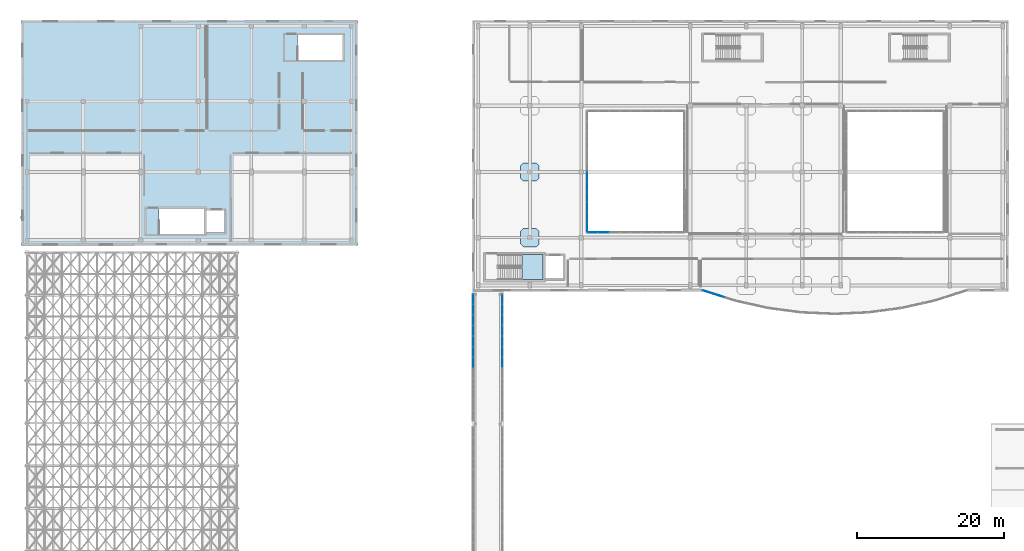
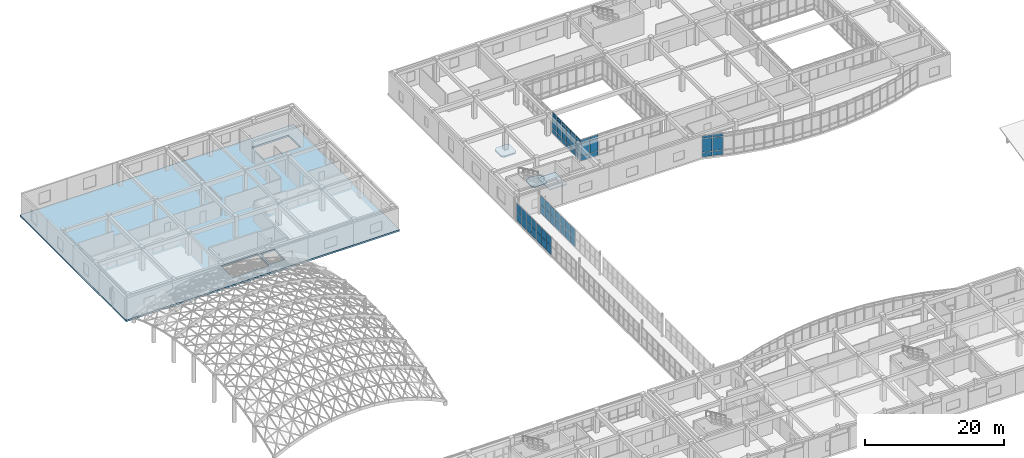
# One storey, part 116 of 146: 58 plates, 4 slabs, 9 elements without a shape of their own.
"""IFC4 building model written with IfcOpenShell, lengths in metres."""

from ifc_helpers import new_model, si_unit, direction, frame, origin, origin_2d, place, context, subcontext, project, spatial, polyline, rectangle, outline, extrude, material, layer, layer_set, type_object, element, aggregate, save


model = new_model("IFC4")

# Units and contexts
model_context = context("Model", 3, precision=1e-05, world=origin(), true_north=direction((0.0, 1.0)))
body_context = subcontext(model_context, "Body", "Model", "MODEL_VIEW")
ifc_project = project(units=[si_unit("LENGTHUNIT", "METRE"), si_unit("AREAUNIT", "SQUARE_METRE"), si_unit("VOLUMEUNIT", "CUBIC_METRE"), si_unit("PLANEANGLEUNIT", "RADIAN"), si_unit("MASSUNIT", "GRAM", prefix="KILO")], contexts=[model_context])

# Site, building, storey
site_placement = place(None, origin())
site = spatial("IfcSite", under=ifc_project, at=site_placement, CompositionType="ELEMENT")
building_placement = place(site_placement, origin())
building = spatial("IfcBuilding", under=site, at=building_placement, Name="Valcora Specialist Clinic", CompositionType="ELEMENT")
storey_placement = place(building_placement, frame((0.0, 0.0, 9.52001953125)))
storey = spatial("IfcBuildingStorey", under=building, at=storey_placement, Name="L02", CompositionType="ELEMENT", Elevation=9.52001953125)

# Curtain wall, plates
ifc_material_1 = material(Name="Anodized Bronze Aluminium 6063-T6", Category="aluminium")
ifc_layer_1 = layer(ifc_material_1, 0.175048828125)
ifc_layer_set_1 = layer_set([ifc_layer_1], Name="Anodized Bronze Aluminium 6063-T6")
curtain_wall_type_1 = type_object("IfcCurtainWallType", Name="TY-CW-ARC40", PredefinedType="NOTDEFINED", material=ifc_layer_set_1)
curtain_wall_1_placement = place(storey_placement, origin())
curtain_wall_1 = element("IfcCurtainWall", 1, at=curtain_wall_1_placement, inside=storey, type_object=curtain_wall_type_1, Name="Curtain wall CW-L02-092", PredefinedType="NOTDEFINED")
ifc_material_2 = material(Name="Low-E Laminated Insulating Glass", Category="glass")
ifc_layer_2 = layer(ifc_material_2, 0.028076171875)
ifc_layer_set_2 = layer_set([ifc_layer_2], Name="Low-E Laminated Insulating Glass")
plate_type_1 = type_object("IfcPlateType", Name="TY-CWP-GLZ28", PredefinedType="CURTAIN_PANEL", material=ifc_layer_set_2)
plate_1_placement = place(storey_placement, frame((94.68115234375, 73.431396484375, 0.882568359375), z_axis=(0.0, 0.0, 1.0), x_axis=(-0.952916356972, 0.303233270958, 0.0)))
plate_1 = element("IfcPlate", 2, at=plate_1_placement, type_object=plate_type_1, Name="CW-ARC-40 panel 2.2", PredefinedType="CURTAIN_PANEL", context=body_context, shape_type="SweptSolid", body=[
    extrude(rectangle(XDim=1.5146484375, YDim=0.028076171875, at=origin_2d()), origin(), (0.0, 0.0, 1.0), 2.35498046875),
])
plate_2_placement = place(storey_placement, frame((94.68115234375, 73.431396484375, 3.302734375), z_axis=(0.0, 0.0, 1.0), x_axis=(-0.952916356972, 0.303233270958, 0.0)))
plate_2 = element("IfcPlate", 3, at=plate_2_placement, type_object=plate_type_1, Name="CW-ARC-40 panel 2.3", PredefinedType="CURTAIN_PANEL", context=body_context, shape_type="SweptSolid", body=[
    extrude(rectangle(XDim=1.5146484375, YDim=0.028076171875, at=origin_2d()), origin(), (0.0, 0.0, 1.0), 0.452392578125),
])
plate_3_placement = place(storey_placement, frame((93.19140625, 73.905517578125, 0.882568359375), z_axis=(0.0, 0.0, 1.0), x_axis=(-0.952916356972, 0.303233270958, 0.0)))
plate_3 = element("IfcPlate", 4, at=plate_3_placement, type_object=plate_type_1, Name="CW-ARC-40 panel 3.2", PredefinedType="CURTAIN_PANEL", context=body_context, shape_type="SweptSolid", body=[
    extrude(rectangle(XDim=1.482177734375, YDim=0.028076171875, at=origin_2d()), origin(), (0.0, 0.0, 1.0), 2.35498046875),
])
plate_4_placement = place(storey_placement, frame((93.19140625, 73.905517578125, 3.302734375), z_axis=(0.0, 0.0, 1.0), x_axis=(-0.952916356972, 0.303233270958, 0.0)))
plate_4 = element("IfcPlate", 5, at=plate_4_placement, type_object=plate_type_1, Name="CW-ARC-40 panel 3.3", PredefinedType="CURTAIN_PANEL", context=body_context, shape_type="SweptSolid", body=[
    extrude(rectangle(XDim=1.482177734375, YDim=0.028076171875, at=origin_2d()), origin(), (0.0, 0.0, 1.0), 0.452392578125),
])

ifc_layer_3 = layer(ifc_material_1, 0.175048828125)
ifc_layer_set_3 = layer_set([ifc_layer_3], Name="Anodized Bronze Aluminium 6063-T6")
curtain_wall_type_2 = type_object("IfcCurtainWallType", Name="TY-CW-CRT15", PredefinedType="NOTDEFINED", material=ifc_layer_set_3)
curtain_wall_2_placement = place(storey_placement, origin())
curtain_wall_2 = element("IfcCurtainWall", 6, at=curtain_wall_2_placement, inside=storey, type_object=curtain_wall_type_2, Name="Curtain wall CW-L02-104", PredefinedType="NOTDEFINED")
plate_5_placement = place(storey_placement, frame((76.800048828125, 86.796142578125, 0.882568359375), z_axis=(0.0, 0.0, 1.0), x_axis=(0.0, -1.0, 0.0)))
plate_5 = element("IfcPlate", 7, at=plate_5_placement, type_object=plate_type_1, Name="CW-CRT-15 panel 1.2", PredefinedType="CURTAIN_PANEL", context=body_context, shape_type="SweptSolid", body=[
    extrude(rectangle(XDim=1.277587890625, YDim=0.028076171875, at=origin_2d()), origin(), (0.0, 0.0, 1.0), 2.35498046875),
])
plate_6_placement = place(storey_placement, frame((76.800048828125, 86.796142578125, 3.302734375), z_axis=(0.0, 0.0, 1.0), x_axis=(0.0, -1.0, 0.0)))
plate_6 = element("IfcPlate", 8, at=plate_6_placement, type_object=plate_type_1, Name="CW-CRT-15 panel 1.3", PredefinedType="CURTAIN_PANEL", context=body_context, shape_type="SweptSolid", body=[
    extrude(rectangle(XDim=1.277587890625, YDim=0.028076171875, at=origin_2d()), origin(), (0.0, 0.0, 1.0), 0.452392578125),
])
plate_7_placement = place(storey_placement, frame((76.800048828125, 85.4375, 0.882568359375), z_axis=(0.0, 0.0, 1.0), x_axis=(0.0, -1.0, 0.0)))
plate_7 = element("IfcPlate", 9, at=plate_7_placement, type_object=plate_type_1, Name="CW-CRT-15 panel 2.2", PredefinedType="CURTAIN_PANEL", context=body_context, shape_type="SweptSolid", body=[
    extrude(rectangle(XDim=1.31005859375, YDim=0.028076171875, at=origin_2d()), origin(), (0.0, 0.0, 1.0), 2.35498046875),
])
plate_8_placement = place(storey_placement, frame((76.800048828125, 85.4375, 3.302734375), z_axis=(0.0, 0.0, 1.0), x_axis=(0.0, -1.0, 0.0)))
plate_8 = element("IfcPlate", 10, at=plate_8_placement, type_object=plate_type_1, Name="CW-CRT-15 panel 2.3", PredefinedType="CURTAIN_PANEL", context=body_context, shape_type="SweptSolid", body=[
    extrude(rectangle(XDim=1.31005859375, YDim=0.028076171875, at=origin_2d()), origin(), (0.0, 0.0, 1.0), 0.452392578125),
])
plate_9_placement = place(storey_placement, frame((76.800048828125, 84.0625, 0.882568359375), z_axis=(0.0, 0.0, 1.0), x_axis=(0.0, -1.0, 0.0)))
plate_9 = element("IfcPlate", 11, at=plate_9_placement, type_object=plate_type_1, Name="CW-CRT-15 panel 3.2", PredefinedType="CURTAIN_PANEL", context=body_context, shape_type="SweptSolid", body=[
    extrude(rectangle(XDim=1.31005859375, YDim=0.028076171875, at=origin_2d()), origin(), (0.0, 0.0, 1.0), 2.35498046875),
])
plate_10_placement = place(storey_placement, frame((76.800048828125, 84.0625, 3.302734375), z_axis=(0.0, 0.0, 1.0), x_axis=(0.0, -1.0, 0.0)))
plate_10 = element("IfcPlate", 12, at=plate_10_placement, type_object=plate_type_1, Name="CW-CRT-15 panel 3.3", PredefinedType="CURTAIN_PANEL", context=body_context, shape_type="SweptSolid", body=[
    extrude(rectangle(XDim=1.31005859375, YDim=0.028076171875, at=origin_2d()), origin(), (0.0, 0.0, 1.0), 0.452392578125),
])
plate_11_placement = place(storey_placement, frame((76.800048828125, 82.703857421875, 0.882568359375), z_axis=(0.0, 0.0, 1.0), x_axis=(0.0, -1.0, 0.0)))
plate_11 = element("IfcPlate", 13, at=plate_11_placement, type_object=plate_type_1, Name="CW-CRT-15 panel 4.2", PredefinedType="CURTAIN_PANEL", context=body_context, shape_type="SweptSolid", body=[
    extrude(rectangle(XDim=1.277587890625, YDim=0.028076171875, at=origin_2d()), origin(), (0.0, 0.0, 1.0), 2.35498046875),
])
plate_12_placement = place(storey_placement, frame((76.800048828125, 82.703857421875, 3.302734375), z_axis=(0.0, 0.0, 1.0), x_axis=(0.0, -1.0, 0.0)))
plate_12 = element("IfcPlate", 14, at=plate_12_placement, type_object=plate_type_1, Name="CW-CRT-15 panel 4.3", PredefinedType="CURTAIN_PANEL", context=body_context, shape_type="SweptSolid", body=[
    extrude(rectangle(XDim=1.277587890625, YDim=0.028076171875, at=origin_2d()), origin(), (0.0, 0.0, 1.0), 0.452392578125),
])

ifc_layer_4 = layer(ifc_material_1, 0.175048828125)
ifc_layer_set_4 = layer_set([ifc_layer_4], Name="Anodized Bronze Aluminium 6063-T6")
curtain_wall_type_3 = type_object("IfcCurtainWallType", Name="TY-CW-BRG14", PredefinedType="NOTDEFINED", material=ifc_layer_set_4)
curtain_wall_3_placement = place(storey_placement, origin())
curtain_wall_3 = element("IfcCurtainWall", 15, at=curtain_wall_3_placement, inside=storey, type_object=curtain_wall_type_3, Name="Curtain wall CW-L02-256", PredefinedType="NOTDEFINED")
plate_13_placement = place(storey_placement, frame((61.320068359375, 64.3291015625, 0.06494140625), z_axis=(0.0, 0.0, 1.0), x_axis=(0.0, 1.0, 0.0)))
plate_13 = element("IfcPlate", 16, at=plate_13_placement, type_object=plate_type_1, Name="CW-BRG-14 panel 2.1", PredefinedType="CURTAIN_PANEL", context=body_context, shape_type="SweptSolid", body=[
    extrude(rectangle(XDim=1.376708984375, YDim=0.028076171875, at=origin_2d()), origin(), (0.0, 0.0, 1.0), 1.5224609375),
])
plate_14_placement = place(storey_placement, frame((61.320068359375, 64.3291015625, 1.652587890625), z_axis=(0.0, 0.0, 1.0), x_axis=(0.0, 1.0, 0.0)))
plate_14 = element("IfcPlate", 17, at=plate_14_placement, type_object=plate_type_1, Name="CW-BRG-14 panel 2.2", PredefinedType="CURTAIN_PANEL", context=body_context, shape_type="SweptSolid", body=[
    extrude(rectangle(XDim=1.376708984375, YDim=0.028076171875, at=origin_2d()), origin(), (0.0, 0.0, 1.0), 1.5224609375),
])
plate_15_placement = place(storey_placement, frame((61.320068359375, 65.770751953125, 0.06494140625), z_axis=(0.0, 0.0, 1.0), x_axis=(0.0, 1.0, 0.0)))
plate_15 = element("IfcPlate", 18, at=plate_15_placement, type_object=plate_type_1, Name="CW-BRG-14 panel 3.1", PredefinedType="CURTAIN_PANEL", context=body_context, shape_type="SweptSolid", body=[
    extrude(rectangle(XDim=1.376708984375, YDim=0.028076171875, at=origin_2d()), origin(), (0.0, 0.0, 1.0), 1.5224609375),
])
plate_16_placement = place(storey_placement, frame((61.320068359375, 65.770751953125, 1.652587890625), z_axis=(0.0, 0.0, 1.0), x_axis=(0.0, 1.0, 0.0)))
plate_16 = element("IfcPlate", 19, at=plate_16_placement, type_object=plate_type_1, Name="CW-BRG-14 panel 3.2", PredefinedType="CURTAIN_PANEL", context=body_context, shape_type="SweptSolid", body=[
    extrude(rectangle(XDim=1.376708984375, YDim=0.028076171875, at=origin_2d()), origin(), (0.0, 0.0, 1.0), 1.5224609375),
])
plate_17_placement = place(storey_placement, frame((61.320068359375, 67.1962890625, 0.06494140625), z_axis=(0.0, 0.0, 1.0), x_axis=(0.0, 1.0, 0.0)))
plate_17 = element("IfcPlate", 20, at=plate_17_placement, type_object=plate_type_1, Name="CW-BRG-14 panel 4.1", PredefinedType="CURTAIN_PANEL", context=body_context, shape_type="SweptSolid", body=[
    extrude(rectangle(XDim=1.34423828125, YDim=0.028076171875, at=origin_2d()), origin(), (0.0, 0.0, 1.0), 1.5224609375),
])
plate_18_placement = place(storey_placement, frame((61.320068359375, 67.1962890625, 1.652587890625), z_axis=(0.0, 0.0, 1.0), x_axis=(0.0, 1.0, 0.0)))
plate_18 = element("IfcPlate", 21, at=plate_18_placement, type_object=plate_type_1, Name="CW-BRG-14 panel 4.2", PredefinedType="CURTAIN_PANEL", context=body_context, shape_type="SweptSolid", body=[
    extrude(rectangle(XDim=1.34423828125, YDim=0.028076171875, at=origin_2d()), origin(), (0.0, 0.0, 1.0), 1.5224609375),
])
aggregate(curtain_wall_3, [plate_13, plate_14, plate_15, plate_16, plate_17, plate_18])

curtain_wall_4_placement = place(storey_placement, origin())
curtain_wall_4 = element("IfcCurtainWall", 22, at=curtain_wall_4_placement, inside=storey, type_object=curtain_wall_type_3, Name="Curtain wall CW-L02-266", PredefinedType="NOTDEFINED")
plate_19_placement = place(storey_placement, frame((65.280029296875, 68.67041015625, 0.06494140625), z_axis=(0.0, 0.0, 1.0), x_axis=(0.0, 1.0, 0.0)))
plate_19 = element("IfcPlate", 23, at=plate_19_placement, type_object=plate_type_1, Name="CW-BRG-14 panel 1.1", PredefinedType="CURTAIN_PANEL", context=body_context, shape_type="SweptSolid", body=[
    extrude(rectangle(XDim=1.34423828125, YDim=0.028076171875, at=origin_2d()), origin(), (0.0, 0.0, 1.0), 1.5224609375),
])
plate_20_placement = place(storey_placement, frame((65.280029296875, 68.67041015625, 1.652587890625), z_axis=(0.0, 0.0, 1.0), x_axis=(0.0, 1.0, 0.0)))
plate_20 = element("IfcPlate", 24, at=plate_20_placement, type_object=plate_type_1, Name="CW-BRG-14 panel 1.2", PredefinedType="CURTAIN_PANEL", context=body_context, shape_type="SweptSolid", body=[
    extrude(rectangle(XDim=1.34423828125, YDim=0.028076171875, at=origin_2d()), origin(), (0.0, 0.0, 1.0), 1.5224609375),
])
plate_21_placement = place(storey_placement, frame((65.280029296875, 70.095703125, 0.06494140625), z_axis=(0.0, 0.0, 1.0), x_axis=(0.0, 1.0, 0.0)))
plate_21 = element("IfcPlate", 25, at=plate_21_placement, type_object=plate_type_1, Name="CW-BRG-14 panel 2.1", PredefinedType="CURTAIN_PANEL", context=body_context, shape_type="SweptSolid", body=[
    extrude(rectangle(XDim=1.376708984375, YDim=0.028076171875, at=origin_2d()), origin(), (0.0, 0.0, 1.0), 1.5224609375),
])
plate_22_placement = place(storey_placement, frame((65.280029296875, 70.095703125, 1.652587890625), z_axis=(0.0, 0.0, 1.0), x_axis=(0.0, 1.0, 0.0)))
plate_22 = element("IfcPlate", 26, at=plate_22_placement, type_object=plate_type_1, Name="CW-BRG-14 panel 2.2", PredefinedType="CURTAIN_PANEL", context=body_context, shape_type="SweptSolid", body=[
    extrude(rectangle(XDim=1.376708984375, YDim=0.028076171875, at=origin_2d()), origin(), (0.0, 0.0, 1.0), 1.5224609375),
])
plate_23_placement = place(storey_placement, frame((65.280029296875, 71.53759765625, 0.06494140625), z_axis=(0.0, 0.0, 1.0), x_axis=(0.0, 1.0, 0.0)))
plate_23 = element("IfcPlate", 27, at=plate_23_placement, type_object=plate_type_1, Name="CW-BRG-14 panel 3.1", PredefinedType="CURTAIN_PANEL", context=body_context, shape_type="SweptSolid", body=[
    extrude(rectangle(XDim=1.376708984375, YDim=0.028076171875, at=origin_2d()), origin(), (0.0, 0.0, 1.0), 1.5224609375),
])
plate_24_placement = place(storey_placement, frame((65.280029296875, 71.53759765625, 1.652587890625), z_axis=(0.0, 0.0, 1.0), x_axis=(0.0, 1.0, 0.0)))
plate_24 = element("IfcPlate", 28, at=plate_24_placement, type_object=plate_type_1, Name="CW-BRG-14 panel 3.2", PredefinedType="CURTAIN_PANEL", context=body_context, shape_type="SweptSolid", body=[
    extrude(rectangle(XDim=1.376708984375, YDim=0.028076171875, at=origin_2d()), origin(), (0.0, 0.0, 1.0), 1.5224609375),
])
plate_25_placement = place(storey_placement, frame((65.280029296875, 72.962890625, 0.06494140625), z_axis=(0.0, 0.0, 1.0), x_axis=(0.0, 1.0, 0.0)))
plate_25 = element("IfcPlate", 29, at=plate_25_placement, type_object=plate_type_1, Name="CW-BRG-14 panel 4.1", PredefinedType="CURTAIN_PANEL", context=body_context, shape_type="SweptSolid", body=[
    extrude(rectangle(XDim=1.34423828125, YDim=0.028076171875, at=origin_2d()), origin(), (0.0, 0.0, 1.0), 1.5224609375),
])
plate_26_placement = place(storey_placement, frame((65.280029296875, 72.962890625, 1.652587890625), z_axis=(0.0, 0.0, 1.0), x_axis=(0.0, 1.0, 0.0)))
plate_26 = element("IfcPlate", 30, at=plate_26_placement, type_object=plate_type_1, Name="CW-BRG-14 panel 4.2", PredefinedType="CURTAIN_PANEL", context=body_context, shape_type="SweptSolid", body=[
    extrude(rectangle(XDim=1.34423828125, YDim=0.028076171875, at=origin_2d()), origin(), (0.0, 0.0, 1.0), 1.5224609375),
])
aggregate(curtain_wall_4, [plate_19, plate_20, plate_21, plate_22, plate_23, plate_24, plate_25, plate_26])

curtain_wall_5_placement = place(storey_placement, origin())
curtain_wall_5 = element("IfcCurtainWall", 31, at=curtain_wall_5_placement, inside=storey, type_object=curtain_wall_type_2, Name="Curtain wall CW-L02-093", PredefinedType="NOTDEFINED")
ifc_layer_5 = layer(ifc_material_2, 0.033935546875)
ifc_layer_set_5 = layer_set([ifc_layer_5], Name="Low-E Laminated Insulating Glass")
plate_type_2 = type_object("IfcPlateType", Name="TY-CWP-GLZ34", PredefinedType="CURTAIN_PANEL", material=ifc_layer_set_5)
plate_27_placement = place(storey_placement, frame((77.549560546875, 82.0, 0.882568359375), z_axis=(0.0, 0.0, 1.0), x_axis=(1.0, 0.0, 0.0)))
plate_27 = element("IfcPlate", 32, at=plate_27_placement, type_object=plate_type_2, Name="CW-CRT-15 panel 1.2", PredefinedType="CURTAIN_PANEL", context=body_context, shape_type="SweptSolid", body=[
    extrude(rectangle(XDim=1.369140625, YDim=0.033935546875, at=origin_2d()), origin(), (0.0, 0.0, 1.0), 2.35498046875),
])
plate_28_placement = place(storey_placement, frame((77.549560546875, 82.0, 3.302734375), z_axis=(0.0, 0.0, 1.0), x_axis=(1.0, 0.0, 0.0)))
plate_28 = element("IfcPlate", 33, at=plate_28_placement, type_object=plate_type_2, Name="CW-CRT-15 panel 1.3", PredefinedType="CURTAIN_PANEL", context=body_context, shape_type="SweptSolid", body=[
    extrude(rectangle(XDim=1.369140625, YDim=0.033935546875, at=origin_2d()), origin(), (0.0, 0.0, 1.0), 0.452392578125),
])
plate_29_placement = place(storey_placement, frame((79.0, 82.0, 0.882568359375), z_axis=(0.0, 0.0, 1.0), x_axis=(1.0, 0.0, 0.0)))
plate_29 = element("IfcPlate", 34, at=plate_29_placement, type_object=plate_type_2, Name="CW-CRT-15 panel 2.2", PredefinedType="CURTAIN_PANEL", context=body_context, shape_type="SweptSolid", body=[
    extrude(rectangle(XDim=1.401611328125, YDim=0.033935546875, at=origin_2d()), origin(), (0.0, 0.0, 1.0), 2.35498046875),
])
plate_30_placement = place(storey_placement, frame((79.0, 82.0, 3.302734375), z_axis=(0.0, 0.0, 1.0), x_axis=(1.0, 0.0, 0.0)))
plate_30 = element("IfcPlate", 35, at=plate_30_placement, type_object=plate_type_2, Name="CW-CRT-15 panel 2.3", PredefinedType="CURTAIN_PANEL", context=body_context, shape_type="SweptSolid", body=[
    extrude(rectangle(XDim=1.401611328125, YDim=0.033935546875, at=origin_2d()), origin(), (0.0, 0.0, 1.0), 0.452392578125),
])

curtain_wall_6_placement = place(storey_placement, origin())
curtain_wall_6 = element("IfcCurtainWall", 36, at=curtain_wall_6_placement, inside=storey, type_object=curtain_wall_type_2, Name="Curtain wall CW-L02-103", PredefinedType="NOTDEFINED")
plate_31_placement = place(storey_placement, frame((76.800048828125, 89.5625, 0.882568359375), z_axis=(0.0, 0.0, 1.0), x_axis=(0.0, -1.0, 0.0)))
plate_31 = element("IfcPlate", 37, at=plate_31_placement, type_object=plate_type_2, Name="CW-CRT-15 panel 3.2", PredefinedType="CURTAIN_PANEL", context=body_context, shape_type="SweptSolid", body=[
    extrude(rectangle(XDim=1.31005859375, YDim=0.033935546875, at=origin_2d()), origin(), (0.0, 0.0, 1.0), 2.35498046875),
])
plate_32_placement = place(storey_placement, frame((76.800048828125, 89.5625, 3.302734375), z_axis=(0.0, 0.0, 1.0), x_axis=(0.0, -1.0, 0.0)))
plate_32 = element("IfcPlate", 38, at=plate_32_placement, type_object=plate_type_2, Name="CW-CRT-15 panel 3.3", PredefinedType="CURTAIN_PANEL", context=body_context, shape_type="SweptSolid", body=[
    extrude(rectangle(XDim=1.31005859375, YDim=0.033935546875, at=origin_2d()), origin(), (0.0, 0.0, 1.0), 0.452392578125),
])
plate_33_placement = place(storey_placement, frame((76.800048828125, 88.203857421875, 0.882568359375), z_axis=(0.0, 0.0, 1.0), x_axis=(0.0, -1.0, 0.0)))
plate_33 = element("IfcPlate", 39, at=plate_33_placement, type_object=plate_type_2, Name="CW-CRT-15 panel 4.2", PredefinedType="CURTAIN_PANEL", context=body_context, shape_type="SweptSolid", body=[
    extrude(rectangle(XDim=1.277587890625, YDim=0.033935546875, at=origin_2d()), origin(), (0.0, 0.0, 1.0), 2.35498046875),
])
plate_34_placement = place(storey_placement, frame((76.800048828125, 88.203857421875, 3.302734375), z_axis=(0.0, 0.0, 1.0), x_axis=(0.0, -1.0, 0.0)))
plate_34 = element("IfcPlate", 40, at=plate_34_placement, type_object=plate_type_2, Name="CW-CRT-15 panel 4.3", PredefinedType="CURTAIN_PANEL", context=body_context, shape_type="SweptSolid", body=[
    extrude(rectangle(XDim=1.277587890625, YDim=0.033935546875, at=origin_2d()), origin(), (0.0, 0.0, 1.0), 0.452392578125),
])

curtain_wall_7_placement = place(storey_placement, origin())
curtain_wall_7 = element("IfcCurtainWall", 41, at=curtain_wall_7_placement, inside=storey, type_object=curtain_wall_type_3, Name="Curtain wall CW-L02-257", PredefinedType="NOTDEFINED")
plate_35_placement = place(storey_placement, frame((61.320068359375, 68.67041015625, 0.06494140625), z_axis=(0.0, 0.0, 1.0), x_axis=(0.0, 1.0, 0.0)))
plate_35 = element("IfcPlate", 42, at=plate_35_placement, type_object=plate_type_2, Name="CW-BRG-14 panel 1.1", PredefinedType="CURTAIN_PANEL", context=body_context, shape_type="SweptSolid", body=[
    extrude(rectangle(XDim=1.34423828125, YDim=0.033935546875, at=origin_2d()), origin(), (0.0, 0.0, 1.0), 1.5224609375),
])
plate_36_placement = place(storey_placement, frame((61.320068359375, 68.67041015625, 1.652587890625), z_axis=(0.0, 0.0, 1.0), x_axis=(0.0, 1.0, 0.0)))
plate_36 = element("IfcPlate", 43, at=plate_36_placement, type_object=plate_type_2, Name="CW-BRG-14 panel 1.2", PredefinedType="CURTAIN_PANEL", context=body_context, shape_type="SweptSolid", body=[
    extrude(rectangle(XDim=1.34423828125, YDim=0.033935546875, at=origin_2d()), origin(), (0.0, 0.0, 1.0), 1.5224609375),
])
plate_37_placement = place(storey_placement, frame((61.320068359375, 70.095703125, 0.06494140625), z_axis=(0.0, 0.0, 1.0), x_axis=(0.0, 1.0, 0.0)))
plate_37 = element("IfcPlate", 44, at=plate_37_placement, type_object=plate_type_2, Name="CW-BRG-14 panel 2.1", PredefinedType="CURTAIN_PANEL", context=body_context, shape_type="SweptSolid", body=[
    extrude(rectangle(XDim=1.376708984375, YDim=0.033935546875, at=origin_2d()), origin(), (0.0, 0.0, 1.0), 1.5224609375),
])
plate_38_placement = place(storey_placement, frame((61.320068359375, 70.095703125, 1.652587890625), z_axis=(0.0, 0.0, 1.0), x_axis=(0.0, 1.0, 0.0)))
plate_38 = element("IfcPlate", 45, at=plate_38_placement, type_object=plate_type_2, Name="CW-BRG-14 panel 2.2", PredefinedType="CURTAIN_PANEL", context=body_context, shape_type="SweptSolid", body=[
    extrude(rectangle(XDim=1.376708984375, YDim=0.033935546875, at=origin_2d()), origin(), (0.0, 0.0, 1.0), 1.5224609375),
])
plate_39_placement = place(storey_placement, frame((61.320068359375, 71.53759765625, 0.06494140625), z_axis=(0.0, 0.0, 1.0), x_axis=(0.0, 1.0, 0.0)))
plate_39 = element("IfcPlate", 46, at=plate_39_placement, type_object=plate_type_2, Name="CW-BRG-14 panel 3.1", PredefinedType="CURTAIN_PANEL", context=body_context, shape_type="SweptSolid", body=[
    extrude(rectangle(XDim=1.376708984375, YDim=0.033935546875, at=origin_2d()), origin(), (0.0, 0.0, 1.0), 1.5224609375),
])
plate_40_placement = place(storey_placement, frame((61.320068359375, 71.53759765625, 1.652587890625), z_axis=(0.0, 0.0, 1.0), x_axis=(0.0, 1.0, 0.0)))
plate_40 = element("IfcPlate", 47, at=plate_40_placement, type_object=plate_type_2, Name="CW-BRG-14 panel 3.2", PredefinedType="CURTAIN_PANEL", context=body_context, shape_type="SweptSolid", body=[
    extrude(rectangle(XDim=1.376708984375, YDim=0.033935546875, at=origin_2d()), origin(), (0.0, 0.0, 1.0), 1.5224609375),
])
plate_41_placement = place(storey_placement, frame((61.320068359375, 72.962890625, 0.06494140625), z_axis=(0.0, 0.0, 1.0), x_axis=(0.0, 1.0, 0.0)))
plate_41 = element("IfcPlate", 48, at=plate_41_placement, type_object=plate_type_2, Name="CW-BRG-14 panel 4.1", PredefinedType="CURTAIN_PANEL", context=body_context, shape_type="SweptSolid", body=[
    extrude(rectangle(XDim=1.34423828125, YDim=0.033935546875, at=origin_2d()), origin(), (0.0, 0.0, 1.0), 1.5224609375),
])
plate_42_placement = place(storey_placement, frame((61.320068359375, 72.962890625, 1.652587890625), z_axis=(0.0, 0.0, 1.0), x_axis=(0.0, 1.0, 0.0)))
plate_42 = element("IfcPlate", 49, at=plate_42_placement, type_object=plate_type_2, Name="CW-BRG-14 panel 4.2", PredefinedType="CURTAIN_PANEL", context=body_context, shape_type="SweptSolid", body=[
    extrude(rectangle(XDim=1.34423828125, YDim=0.033935546875, at=origin_2d()), origin(), (0.0, 0.0, 1.0), 1.5224609375),
])
aggregate(curtain_wall_7, [plate_35, plate_36, plate_37, plate_38, plate_39, plate_40, plate_41, plate_42])

curtain_wall_8_placement = place(storey_placement, origin())
curtain_wall_8 = element("IfcCurtainWall", 50, at=curtain_wall_8_placement, inside=storey, type_object=curtain_wall_type_3, Name="Curtain wall CW-L02-265", PredefinedType="NOTDEFINED")
plate_43_placement = place(storey_placement, frame((65.280029296875, 64.3291015625, 0.06494140625), z_axis=(0.0, 0.0, 1.0), x_axis=(0.0, 1.0, 0.0)))
plate_43 = element("IfcPlate", 51, at=plate_43_placement, type_object=plate_type_2, Name="CW-BRG-14 panel 2.1", PredefinedType="CURTAIN_PANEL", context=body_context, shape_type="SweptSolid", body=[
    extrude(rectangle(XDim=1.376708984375, YDim=0.033935546875, at=origin_2d()), origin(), (0.0, 0.0, 1.0), 1.5224609375),
])
plate_44_placement = place(storey_placement, frame((65.280029296875, 64.3291015625, 1.652587890625), z_axis=(0.0, 0.0, 1.0), x_axis=(0.0, 1.0, 0.0)))
plate_44 = element("IfcPlate", 52, at=plate_44_placement, type_object=plate_type_2, Name="CW-BRG-14 panel 2.2", PredefinedType="CURTAIN_PANEL", context=body_context, shape_type="SweptSolid", body=[
    extrude(rectangle(XDim=1.376708984375, YDim=0.033935546875, at=origin_2d()), origin(), (0.0, 0.0, 1.0), 1.5224609375),
])
plate_45_placement = place(storey_placement, frame((65.280029296875, 65.770751953125, 0.06494140625), z_axis=(0.0, 0.0, 1.0), x_axis=(0.0, 1.0, 0.0)))
plate_45 = element("IfcPlate", 53, at=plate_45_placement, type_object=plate_type_2, Name="CW-BRG-14 panel 3.1", PredefinedType="CURTAIN_PANEL", context=body_context, shape_type="SweptSolid", body=[
    extrude(rectangle(XDim=1.376708984375, YDim=0.033935546875, at=origin_2d()), origin(), (0.0, 0.0, 1.0), 1.5224609375),
])
plate_46_placement = place(storey_placement, frame((65.280029296875, 65.770751953125, 1.652587890625), z_axis=(0.0, 0.0, 1.0), x_axis=(0.0, 1.0, 0.0)))
plate_46 = element("IfcPlate", 54, at=plate_46_placement, type_object=plate_type_2, Name="CW-BRG-14 panel 3.2", PredefinedType="CURTAIN_PANEL", context=body_context, shape_type="SweptSolid", body=[
    extrude(rectangle(XDim=1.376708984375, YDim=0.033935546875, at=origin_2d()), origin(), (0.0, 0.0, 1.0), 1.5224609375),
])
plate_47_placement = place(storey_placement, frame((65.280029296875, 67.1962890625, 0.06494140625), z_axis=(0.0, 0.0, 1.0), x_axis=(0.0, 1.0, 0.0)))
plate_47 = element("IfcPlate", 55, at=plate_47_placement, type_object=plate_type_2, Name="CW-BRG-14 panel 4.1", PredefinedType="CURTAIN_PANEL", context=body_context, shape_type="SweptSolid", body=[
    extrude(rectangle(XDim=1.34423828125, YDim=0.033935546875, at=origin_2d()), origin(), (0.0, 0.0, 1.0), 1.5224609375),
])
plate_48_placement = place(storey_placement, frame((65.280029296875, 67.1962890625, 1.652587890625), z_axis=(0.0, 0.0, 1.0), x_axis=(0.0, 1.0, 0.0)))
plate_48 = element("IfcPlate", 56, at=plate_48_placement, type_object=plate_type_2, Name="CW-BRG-14 panel 4.2", PredefinedType="CURTAIN_PANEL", context=body_context, shape_type="SweptSolid", body=[
    extrude(rectangle(XDim=1.34423828125, YDim=0.033935546875, at=origin_2d()), origin(), (0.0, 0.0, 1.0), 1.5224609375),
])
aggregate(curtain_wall_8, [plate_43, plate_44, plate_45, plate_46, plate_47, plate_48])

# Plate
ifc_material_3 = material(Name="Insulated Spandrel Panel")
ifc_layer_6 = layer(ifc_material_3, 0.044921875)
ifc_layer_set_6 = layer_set([ifc_layer_6], Name="Insulated Spandrel Panel")
plate_type_3 = type_object("IfcPlateType", Name="TY-CWP-SPN45", PredefinedType="SHEET", material=ifc_layer_set_6)
plate_49_placement = place(storey_placement, frame((94.68115234375, 73.431396484375, 0.06494140625), z_axis=(0.0, 0.0, 1.0), x_axis=(-0.952916356972, 0.303233270958, 0.0)))
plate_49 = element("IfcPlate", 57, at=plate_49_placement, type_object=plate_type_3, Name="CW-ARC-40 panel 2.1", PredefinedType="SHEET", context=body_context, shape_type="SweptSolid", body=[
    extrude(rectangle(XDim=1.5146484375, YDim=0.044921875, at=origin_2d()), origin(), (0.0, 0.0, 1.0), 0.75244140625),
])

plate_50_placement = place(storey_placement, frame((93.19140625, 73.905517578125, 0.06494140625), z_axis=(0.0, 0.0, 1.0), x_axis=(-0.952916356972, 0.303233270958, 0.0)))
plate_50 = element("IfcPlate", 58, at=plate_50_placement, type_object=plate_type_3, Name="CW-ARC-40 panel 3.1", PredefinedType="SHEET", context=body_context, shape_type="SweptSolid", body=[
    extrude(rectangle(XDim=1.482177734375, YDim=0.044921875, at=origin_2d()), origin(), (0.0, 0.0, 1.0), 0.75244140625),
])

aggregate(curtain_wall_1, [plate_49, plate_1, plate_2, plate_50, plate_3, plate_4])

plate_51_placement = place(storey_placement, frame((77.549560546875, 82.0, 0.06494140625), z_axis=(0.0, 0.0, 1.0), x_axis=(1.0, 0.0, 0.0)))
plate_51 = element("IfcPlate", 59, at=plate_51_placement, type_object=plate_type_3, Name="CW-CRT-15 panel 1.1", PredefinedType="SHEET", context=body_context, shape_type="SweptSolid", body=[
    extrude(rectangle(XDim=1.369140625, YDim=0.044921875, at=origin_2d()), origin(), (0.0, 0.0, 1.0), 0.75244140625),
])

plate_52_placement = place(storey_placement, frame((79.0, 82.0, 0.06494140625), z_axis=(0.0, 0.0, 1.0), x_axis=(1.0, 0.0, 0.0)))
plate_52 = element("IfcPlate", 60, at=plate_52_placement, type_object=plate_type_3, Name="CW-CRT-15 panel 2.1", PredefinedType="SHEET", context=body_context, shape_type="SweptSolid", body=[
    extrude(rectangle(XDim=1.401611328125, YDim=0.044921875, at=origin_2d()), origin(), (0.0, 0.0, 1.0), 0.75244140625),
])

aggregate(curtain_wall_5, [plate_51, plate_27, plate_28, plate_52, plate_29, plate_30])

plate_53_placement = place(storey_placement, frame((76.800048828125, 89.5625, 0.06494140625), z_axis=(0.0, 0.0, 1.0), x_axis=(0.0, -1.0, 0.0)))
plate_53 = element("IfcPlate", 61, at=plate_53_placement, type_object=plate_type_3, Name="CW-CRT-15 panel 3.1", PredefinedType="SHEET", context=body_context, shape_type="SweptSolid", body=[
    extrude(rectangle(XDim=1.31005859375, YDim=0.044921875, at=origin_2d()), origin(), (0.0, 0.0, 1.0), 0.75244140625),
])

plate_54_placement = place(storey_placement, frame((76.800048828125, 88.203857421875, 0.06494140625), z_axis=(0.0, 0.0, 1.0), x_axis=(0.0, -1.0, 0.0)))
plate_54 = element("IfcPlate", 62, at=plate_54_placement, type_object=plate_type_3, Name="CW-CRT-15 panel 4.1", PredefinedType="SHEET", context=body_context, shape_type="SweptSolid", body=[
    extrude(rectangle(XDim=1.277587890625, YDim=0.044921875, at=origin_2d()), origin(), (0.0, 0.0, 1.0), 0.75244140625),
])

aggregate(curtain_wall_6, [plate_53, plate_31, plate_32, plate_54, plate_33, plate_34])

plate_55_placement = place(storey_placement, frame((76.800048828125, 86.796142578125, 0.06494140625), z_axis=(0.0, 0.0, 1.0), x_axis=(0.0, -1.0, 0.0)))
plate_55 = element("IfcPlate", 63, at=plate_55_placement, type_object=plate_type_3, Name="CW-CRT-15 panel 1.1", PredefinedType="SHEET", context=body_context, shape_type="SweptSolid", body=[
    extrude(rectangle(XDim=1.277587890625, YDim=0.044921875, at=origin_2d()), origin(), (0.0, 0.0, 1.0), 0.75244140625),
])

plate_56_placement = place(storey_placement, frame((76.800048828125, 85.4375, 0.06494140625), z_axis=(0.0, 0.0, 1.0), x_axis=(0.0, -1.0, 0.0)))
plate_56 = element("IfcPlate", 64, at=plate_56_placement, type_object=plate_type_3, Name="CW-CRT-15 panel 2.1", PredefinedType="SHEET", context=body_context, shape_type="SweptSolid", body=[
    extrude(rectangle(XDim=1.31005859375, YDim=0.044921875, at=origin_2d()), origin(), (0.0, 0.0, 1.0), 0.75244140625),
])

plate_57_placement = place(storey_placement, frame((76.800048828125, 84.0625, 0.06494140625), z_axis=(0.0, 0.0, 1.0), x_axis=(0.0, -1.0, 0.0)))
plate_57 = element("IfcPlate", 65, at=plate_57_placement, type_object=plate_type_3, Name="CW-CRT-15 panel 3.1", PredefinedType="SHEET", context=body_context, shape_type="SweptSolid", body=[
    extrude(rectangle(XDim=1.31005859375, YDim=0.044921875, at=origin_2d()), origin(), (0.0, 0.0, 1.0), 0.75244140625),
])

plate_58_placement = place(storey_placement, frame((76.800048828125, 82.703857421875, 0.06494140625), z_axis=(0.0, 0.0, 1.0), x_axis=(0.0, -1.0, 0.0)))
plate_58 = element("IfcPlate", 66, at=plate_58_placement, type_object=plate_type_3, Name="CW-CRT-15 panel 4.1", PredefinedType="SHEET", context=body_context, shape_type="SweptSolid", body=[
    extrude(rectangle(XDim=1.277587890625, YDim=0.044921875, at=origin_2d()), origin(), (0.0, 0.0, 1.0), 0.75244140625),
])

aggregate(curtain_wall_2, [plate_55, plate_5, plate_6, plate_56, plate_7, plate_8, plate_57, plate_9, plate_10, plate_58, plate_11, plate_12])

# Slabs
ifc_material_4 = material(Name="Concrete C40/50", Category="concrete")
ifc_layer_7 = layer(ifc_material_4, 0.18994140625)
ifc_layer_set_7 = layer_set([ifc_layer_7], Name="Concrete C40/50")
slab_type_1 = type_object("IfcSlabType", Name="TY-SL-DP190", PredefinedType="FLOOR", material=ifc_layer_set_7)
slab_1_placement = place(storey_placement, frame((0.0, 0.0, -0.465087890625)))
element("IfcSlab", 67, at=slab_1_placement, inside=storey, type_object=slab_type_1, Name="V4 column drop panel SL-L02-048", PredefinedType="FLOOR", context=body_context, shape_type="SweptSolid", body=[
    extrude(outline(polyline([(68.1201171875, 80.050048828125), (69.8798828125, 80.050048828125), (70.25, 80.419921875), (70.25, 82.179931640625), (69.8798828125, 82.550048828125), (68.1201171875, 82.550048828125), (67.75, 82.179931640625), (67.75, 80.419921875), (68.1201171875, 80.050048828125)])), origin(), (0.0, 0.0, 1.0), 0.190185546875),
])
ifc_layer_8 = layer(ifc_material_4, 0.235107421875)
ifc_layer_set_8 = layer_set([ifc_layer_8], Name="Concrete C40/50")
slab_type_2 = type_object("IfcSlabType", Name="TY-SL-DP235", PredefinedType="FLOOR", material=ifc_layer_set_8)
slab_2_placement = place(storey_placement, frame((0.0, 0.0, -0.510009765625)))
element("IfcSlab", 68, at=slab_2_placement, inside=storey, type_object=slab_type_2, Name="V4 column drop panel SL-L02-049", PredefinedType="FLOOR", context=body_context, shape_type="SweptSolid", body=[
    extrude(outline(polyline([(68.1201171875, 88.949951171875), (69.8798828125, 88.949951171875), (70.25, 89.320068359375), (70.25, 91.080078125), (69.8798828125, 91.449951171875), (68.1201171875, 91.449951171875), (67.75, 91.080078125), (67.75, 89.320068359375), (68.1201171875, 88.949951171875)])), origin(), (0.0, 0.0, 1.0), 0.235107421875),
])
ifc_layer_9 = layer(ifc_material_4, 0.2900390625)
ifc_layer_set_9 = layer_set([ifc_layer_9], Name="Concrete C40/50")
slab_type_3 = type_object("IfcSlabType", Name="TY-SL-FLR290", PredefinedType="FLOOR", material=ifc_layer_set_9)
slab_3_placement = place(storey_placement, frame((0.0, 0.0, -0.2900390625)))
element("IfcSlab", 69, at=slab_3_placement, inside=storey, type_object=slab_type_3, Name="V2 L02 structural slab SL-L02-006", PredefinedType="FLOOR", context=body_context, shape_type="SweptSolid", body=[
    extrude(outline(polyline([(0.0, 80.199951171875), (45.60009765625, 80.199951171875), (45.60009765625, 110.800048828125), (0.0, 110.800048828125), (0.0, 80.199951171875)]), holes=[polyline([(18.70068359375, 81.800048828125), (24.800048828125, 81.800048828125), (24.800048828125, 85.199951171875), (18.70068359375, 85.199951171875), (18.70068359375, 81.800048828125)]), polyline([(25.1201171875, 82.0), (27.52001953125, 82.0), (27.52001953125, 85.0), (25.1201171875, 85.0), (25.1201171875, 82.0)]), polyline([(37.500732421875, 105.39990234375), (43.60009765625, 105.39990234375), (43.60009765625, 108.800048828125), (37.500732421875, 108.800048828125), (37.500732421875, 105.39990234375)])]), origin(), (0.0, 0.0, 1.0), 0.2900390625),
])

# Stair, slab
stair_type = type_object("IfcStairType", Name="TY-ST-DG408", PredefinedType="HALF_TURN_STAIR", material=ifc_material_4)
stair_placement = place(storey_placement, origin())
stair = element("IfcStair", 70, at=stair_placement, inside=storey, type_object=stair_type, Name="L02 Core C-V4A stair ST-V4A", PredefinedType="HALF_TURN_STAIR")
ifc_layer_10 = layer(ifc_material_4, 0.199951171875)
ifc_layer_set_10 = layer_set([ifc_layer_10], Name="Concrete C40/50")
slab_type_4 = type_object("IfcSlabType", Name="TY-SL-LND200", PredefinedType="LANDING", material=ifc_layer_set_10)
slab_4_placement = place(storey_placement, frame((0.0, 0.0, 1.840087890625)))
slab_4 = element("IfcSlab", 71, at=slab_4_placement, type_object=slab_type_4, Name="ST-V4A landing 1", PredefinedType="LANDING", context=body_context, shape_type="SweptSolid", body=[
    extrude(outline(polyline([(67.945068359375, 75.60009765625), (70.800048828125, 75.60009765625), (70.800048828125, 79.0), (67.945068359375, 79.0), (67.945068359375, 75.60009765625)])), origin(), (0.0, 0.0, 1.0), 0.199951171875),
])
aggregate(stair, [slab_4])

save(model, "model.ifc")
